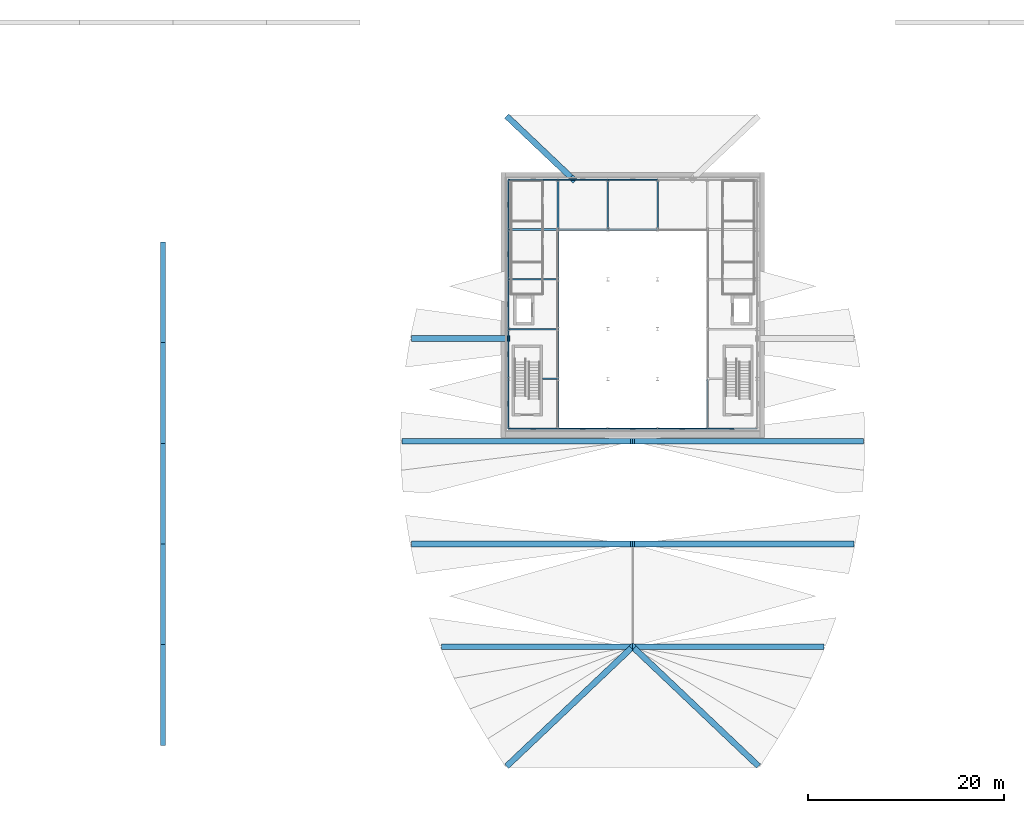
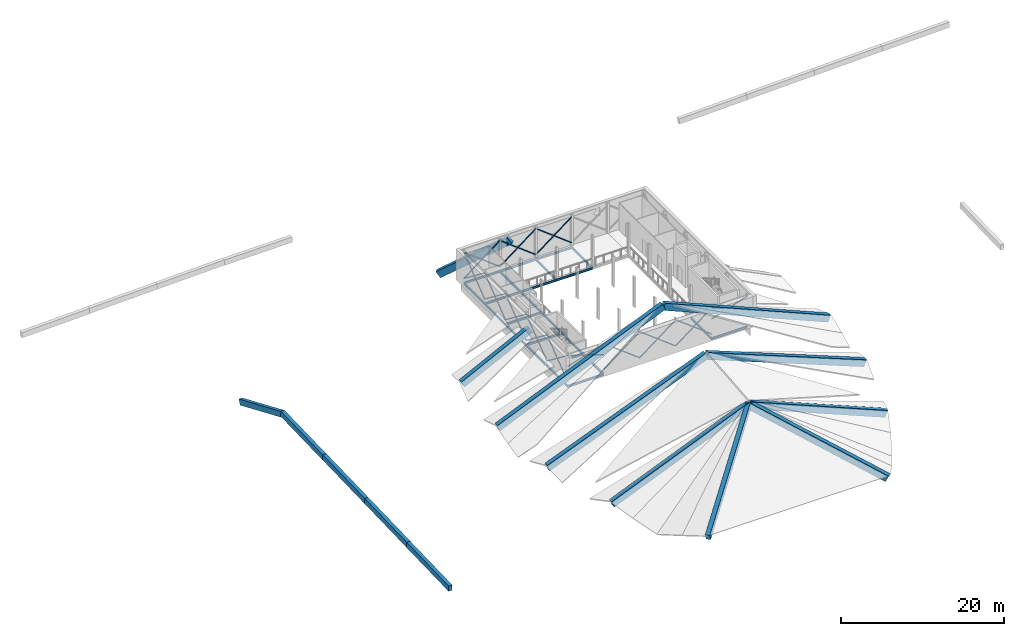
# One storey, part 2 of 7: 39 beams, 38 members.
"""IFC4 building model written with IfcOpenShell, lengths in metres."""

import ifcopenshell
import ifcopenshell.guid

model = None  # the IFC model being written
_history = None  # IfcOwnerHistory: only IFC2X3 demands one
_inside = {}  # id of a spatial element -> (the spatial element, [elements in it])
_under = {}  # id of a project, library or spatial element -> (it, [spatial elements below it])
_declared = {}  # id of a project -> (the project, [libraries it declares])
_typed = {}  # id of a type object -> (the type object, [elements of that type])
_made_of = {}  # id of a material, layer set ... -> (it, [elements and type objects made of it])


def new_model(schema):
    """Start an empty IFC model of exactly this schema.

    Asked for "IFC4X3", IfcOpenShell would pick the latest addendum, in which some entities
    have other attributes; the version numbers below select the first issue.
    IFC2X3 requires an IfcOwnerHistory on every rooted entity: one is made here for all.
    """
    global model, _history
    if schema == "IFC4X3":
        model = ifcopenshell.file(schema_version=(4, 3, 0, 0))
    else:
        model = ifcopenshell.file(schema=schema)
    _inside.clear()
    _under.clear()
    _declared.clear()
    _typed.clear()
    _made_of.clear()
    _history = None
    if model.schema == "IFC2X3":
        org = make("IfcOrganization", Name="unknown")
        user = make(
            "IfcPersonAndOrganization",
            ThePerson=make("IfcPerson", FamilyName="unknown"),
            TheOrganization=org,
        )
        app = make(
            "IfcApplication",
            ApplicationDeveloper=org,
            Version="unknown",
            ApplicationFullName="unknown",
            ApplicationIdentifier="unknown",
        )
        _history = make(
            "IfcOwnerHistory",
            OwningUser=user,
            OwningApplication=app,
            ChangeAction="ADDED",
            CreationDate=0,
        )
    return model


def make(cls, **values):
    """One entity of the class cls with the attributes given. An attribute that is None is left unset."""
    return model.create_entity(
        cls, **{name: value for name, value in values.items() if value is not None}
    )


def rooted(cls, **values):
    """An entity with a GlobalId (a new one), such as an element, a storey or a relation."""
    return make(cls, GlobalId=ifcopenshell.guid.new(), OwnerHistory=_history, **values)


def si_unit(unit_type, name, prefix=None):
    """IfcSIUnit, for example si_unit("LENGTHUNIT", "METRE", prefix="MILLI")."""
    return make("IfcSIUnit", UnitType=unit_type, Prefix=prefix, Name=name)


def assignment(units):
    """IfcUnitAssignment: the units of a project."""
    return None if units is None else make("IfcUnitAssignment", Units=units)


def point(xyz):
    """IfcCartesianPoint."""
    return None if xyz is None else make("IfcCartesianPoint", Coordinates=xyz)


def direction(xyz):
    """IfcDirection."""
    return None if xyz is None else make("IfcDirection", DirectionRatios=xyz)


def frame(location, z_axis=None, x_axis=None):
    """IfcAxis2Placement3D, a coordinate frame: its origin and axes. An axis left out is left unset."""
    return make(
        "IfcAxis2Placement3D",
        Location=point(location),
        Axis=direction(z_axis),
        RefDirection=direction(x_axis),
    )


def frame_2d(location, x_axis=None):
    """IfcAxis2Placement2D, a coordinate frame in the plane: its origin and x axis."""
    return make(
        "IfcAxis2Placement2D", Location=point(location), RefDirection=direction(x_axis)
    )


def origin():
    """The frame at (0, 0, 0) with its axes left unset."""
    return frame((0.0, 0.0, 0.0))


def origin_2d():
    """The frame at (0, 0) in the plane with its x axis left unset."""
    return frame_2d((0.0, 0.0))


def place(relative_to, where):
    """IfcLocalPlacement: puts the frame where relative to a parent placement (None: the world)."""
    return make(
        "IfcLocalPlacement", PlacementRelTo=relative_to, RelativePlacement=where
    )


def context(
    kind, dimensions, precision=None, world=None, true_north=None, identifier=None
):
    """IfcGeometricRepresentationContext, for example the 3D "Model" context."""
    return make(
        "IfcGeometricRepresentationContext",
        ContextIdentifier=identifier,
        ContextType=kind,
        CoordinateSpaceDimension=dimensions,
        Precision=precision,
        WorldCoordinateSystem=world,
        TrueNorth=true_north,
    )


def subcontext(parent, identifier, kind, view, scale=None):
    """IfcGeometricRepresentationSubContext, for example "Body" below "Model"."""
    return make(
        "IfcGeometricRepresentationSubContext",
        ContextIdentifier=identifier,
        ContextType=kind,
        ParentContext=parent,
        TargetScale=scale,
        TargetView=view,
    )


def project(units=None, contexts=None):
    """IfcProject with its units and contexts."""
    return rooted(
        "IfcProject",
        Name="project",
        RepresentationContexts=contexts,
        UnitsInContext=assignment(units),
    )


def spatial(cls, under=None, at=None, **own):
    """A site, building, storey or space (cls), placed at a placement, below another one or the project."""
    s = rooted(cls, ObjectPlacement=at, **own)
    if under is not None:
        _under.setdefault(under.id(), (under, []))[1].append(s)
    return s


def profile(cls, at=None, kind="AREA", **sizes):
    """A parametric profile (cls). Its sizes go by their IFC names, for example OverallWidth=200.0."""
    return make(cls, ProfileType=kind, Position=at, **sizes)


def rectangle(**sizes):
    """IfcRectangleProfileDef."""
    return profile("IfcRectangleProfileDef", **sizes)


def hollow_circle(**sizes):
    """IfcCircleHollowProfileDef."""
    return profile("IfcCircleHollowProfileDef", **sizes)


def i_section(**sizes):
    """IfcIShapeProfileDef."""
    return profile("IfcIShapeProfileDef", **sizes)


def extrude(swept, where, along, depth):
    """IfcExtrudedAreaSolid: the profile swept, set in the frame where, extruded along a direction by depth."""
    return make(
        "IfcExtrudedAreaSolid",
        SweptArea=swept,
        Position=where,
        ExtrudedDirection=direction(along),
        Depth=depth,
    )


def shape(context_of_items, identifier, shape_type, items):
    """IfcShapeRepresentation: the items that make up one representation, for example the "Body"."""
    return make(
        "IfcShapeRepresentation",
        ContextOfItems=context_of_items,
        RepresentationIdentifier=identifier,
        RepresentationType=shape_type,
        Items=items,
    )


def material(Name=None, Category=None):
    """IfcMaterial."""
    return make("IfcMaterial", Name=Name, Category=Category)


def material_profile(
    of_material, cross_section, Name=None, Category=None, Priority=None
):
    """IfcMaterialProfile: a cross section and its material."""
    return make(
        "IfcMaterialProfile",
        Name=Name,
        Material=of_material,
        Profile=cross_section,
        Priority=Priority,
        Category=Category,
    )


def profile_set(profiles, Name=None, composite=None):
    """IfcMaterialProfileSet."""
    return make(
        "IfcMaterialProfileSet",
        Name=Name,
        MaterialProfiles=profiles,
        CompositeProfile=composite,
    )


def made_of(thing, what):
    """Note that an element or type object is made of a material, layer set ...; save() writes the relation."""
    if what is not None:
        _made_of.setdefault(what.id(), (what, []))[1].append(thing)
    return thing


def type_object(cls, material=None, **own):
    """A type object (cls), such as IfcWallType, which elements share."""
    return made_of(rooted(cls, **own), material)


def element(
    cls,
    number,
    at=None,
    inside=None,
    cuts=None,
    type_object=None,
    material=None,
    context=None,
    identifier="Body",
    shape_type=None,
    held_by="IfcProductDefinitionShape",
    body=None,
    shapes=None,
    **own,
):
    """One element of the class cls, such as IfcWall. Its Tag is "e" and its number.

    at: its placement. inside: the storey or other place that contains it. cuts: it is an
    opening in that element (IfcRelVoidsElement). A single representation is given by context,
    identifier, shape_type and body (its items); several are given by shapes. held_by: the class
    of the entity that holds the representations. save() writes the other relations.
    """
    e = rooted(cls, Tag="e%d" % number, ObjectPlacement=at, **own)
    if body is not None:
        shapes = [shape(context, identifier, shape_type, body)]
    if shapes is not None:
        e.Representation = make(held_by, Representations=shapes)
    if inside is not None:
        _inside.setdefault(inside.id(), (inside, []))[1].append(e)
    if cuts is not None:
        rooted(
            "IfcRelVoidsElement", RelatingBuildingElement=cuts, RelatedOpeningElement=e
        )
    if type_object is not None:
        _typed.setdefault(type_object.id(), (type_object, []))[1].append(e)
    return made_of(e, material)


def aggregate(whole, parts):
    """IfcRelAggregates: a whole, such as a stair, and the parts it consists of."""
    return rooted("IfcRelAggregates", RelatingObject=whole, RelatedObjects=parts)


def save(model, path):
    """Write the relations noted so far, then the file.

    IfcRelAggregates (storeys below a building ...), IfcRelContainedInSpatialStructure (elements
    in a storey), IfcRelDefinesByType, IfcRelAssociatesMaterial and IfcRelDeclares: one each for
    every whole, place, type object, material and project.
    """
    for whole, parts in _under.values():
        aggregate(whole, parts)
    for where, things in _inside.values():
        rooted(
            "IfcRelContainedInSpatialStructure",
            RelatedElements=things,
            RelatingStructure=where,
        )
    for kind, things in _typed.values():
        rooted("IfcRelDefinesByType", RelatedObjects=things, RelatingType=kind)
    for what, things in _made_of.values():
        rooted("IfcRelAssociatesMaterial", RelatedObjects=things, RelatingMaterial=what)
    for by, libraries in _declared.values():
        rooted("IfcRelDeclares", RelatingContext=by, RelatedDefinitions=libraries)
    model.write(path)


model = new_model("IFC4")

# Units and contexts
model_context = context("Model", 3, precision=1e-05, world=origin(), true_north=direction((0.0, 1.0)))
body_context = subcontext(model_context, "Body", "Model", "MODEL_VIEW")
ifc_project = project(units=[si_unit("LENGTHUNIT", "METRE"), si_unit("AREAUNIT", "SQUARE_METRE"), si_unit("VOLUMEUNIT", "CUBIC_METRE"), si_unit("PLANEANGLEUNIT", "RADIAN"), si_unit("MASSUNIT", "GRAM", prefix="KILO")], contexts=[model_context])

# Site, building, storey
site_placement = place(None, origin())
site = spatial("IfcSite", under=ifc_project, at=site_placement, CompositionType="ELEMENT")
building_placement = place(site_placement, origin())
building = spatial("IfcBuilding", under=site, at=building_placement, Name="Tide Square Theatres", CompositionType="ELEMENT")
storey_placement = place(building_placement, frame((0.0, 0.0, 19.39990234375)))
storey = spatial("IfcBuildingStorey", under=building, at=storey_placement, Name="L04", CompositionType="ELEMENT", Elevation=19.39990234375)

# Beams
ifc_material_1 = material(Name="Concrete C40", Category="concrete")
ifc_material_profile_1 = material_profile(ifc_material_1, rectangle(XDim=0.60009765625, YDim=1.0, at=origin_2d()))
ifc_profile_set_1 = profile_set([ifc_material_profile_1], Name="Concrete C40")
beam_type_1 = type_object("IfcBeamType", Name="RC roof rib and ridge 600 x 1000", PredefinedType="BEAM", material=ifc_profile_set_1)
beam_1_placement = place(storey_placement, frame((96.72265625, 21.923828125, -2.1083984375), z_axis=(-0.658332726511, 0.624533549094, 0.420185515291), x_axis=(-0.688238087927, -0.725484896001, 0.0)))
element("IfcBeam", 1, at=beam_1_placement, inside=storey, type_object=beam_type_1, Name="Roof rib main R0", PredefinedType="BEAM", context=body_context, shape_type="SweptSolid", body=[
    extrude(rectangle(XDim=0.60009765625, YDim=1.0, at=origin_2d()), origin(), (0.0, 0.0, 1.0), 19.336669921875),
])
beam_2_placement = place(storey_placement, frame((103.34814453125, 33.9931640625, -2.032958984375), z_axis=(-0.923292296451, 0.0, 0.384098080331), x_axis=(0.0, -1.0, 0.0)))
element("IfcBeam", 2, at=beam_2_placement, inside=storey, type_object=beam_type_1, Name="Roof rib main R1", PredefinedType="BEAM", context=body_context, shape_type="SweptSolid", body=[
    extrude(rectangle(XDim=0.60009765625, YDim=1.0, at=origin_2d()), origin(), (0.0, 0.0, 1.0), 20.94677734375),
])
beam_3_placement = place(storey_placement, frame((106.416015625, 44.49658203125, -1.904296875), z_axis=(-0.928915904478, 0.0, 0.370290753879), x_axis=(0.0, -1.0, 0.0)))
element("IfcBeam", 3, at=beam_3_placement, inside=storey, type_object=beam_type_1, Name="Roof rib main R2", PredefinedType="BEAM", context=body_context, shape_type="SweptSolid", body=[
    extrude(rectangle(XDim=0.60009765625, YDim=1.0, at=origin_2d()), origin(), (0.0, 0.0, 1.0), 24.115234375),
])
beam_4_placement = place(storey_placement, frame((107.388916015625, 55.0, -1.937744140625), z_axis=(-0.919886519015, 0.0, 0.392184640361), x_axis=(0.0, -1.0, 0.0)))
element("IfcBeam", 4, at=beam_4_placement, inside=storey, type_object=beam_type_1, Name="Roof rib main R3", PredefinedType="BEAM", context=body_context, shape_type="SweptSolid", body=[
    extrude(rectangle(XDim=0.60009765625, YDim=1.0, at=origin_2d()), origin(), (0.0, 0.0, 1.0), 25.421630859375),
])
beam_5_placement = place(storey_placement, frame((71.27734375, 21.923828125, -2.1083984375), z_axis=(0.658332726511, 0.624533549094, 0.420185515291), x_axis=(-0.688238087927, 0.725484896001, 0.0)))
element("IfcBeam", 5, at=beam_5_placement, inside=storey, type_object=beam_type_1, Name="Roof rib main L0", PredefinedType="BEAM", context=body_context, shape_type="SweptSolid", body=[
    extrude(rectangle(XDim=0.60009765625, YDim=1.0, at=origin_2d()), origin(), (0.0, 0.0, 1.0), 19.336669921875),
])
beam_6_placement = place(storey_placement, frame((64.65185546875, 33.9931640625, -2.032958984375), z_axis=(0.923292296451, 0.0, 0.384098080331), x_axis=(0.0, 1.0, 0.0)))
element("IfcBeam", 6, at=beam_6_placement, inside=storey, type_object=beam_type_1, Name="Roof rib main L1", PredefinedType="BEAM", context=body_context, shape_type="SweptSolid", body=[
    extrude(rectangle(XDim=0.60009765625, YDim=1.0, at=origin_2d()), origin(), (0.0, 0.0, 1.0), 20.94677734375),
])
beam_7_placement = place(storey_placement, frame((61.583984375, 44.49658203125, -1.904296875), z_axis=(0.928915904478, 0.0, 0.370290753879), x_axis=(0.0, 1.0, 0.0)))
element("IfcBeam", 7, at=beam_7_placement, inside=storey, type_object=beam_type_1, Name="Roof rib main L2", PredefinedType="BEAM", context=body_context, shape_type="SweptSolid", body=[
    extrude(rectangle(XDim=0.60009765625, YDim=1.0, at=origin_2d()), origin(), (0.0, 0.0, 1.0), 24.115234375),
])
beam_8_placement = place(storey_placement, frame((60.611083984375, 55.0, -1.937744140625), z_axis=(0.919886519015, 0.0, 0.392184640361), x_axis=(0.0, 1.0, 0.0)))
element("IfcBeam", 8, at=beam_8_placement, inside=storey, type_object=beam_type_1, Name="Roof rib main L3", PredefinedType="BEAM", context=body_context, shape_type="SweptSolid", body=[
    extrude(rectangle(XDim=0.60009765625, YDim=1.0, at=origin_2d()), origin(), (0.0, 0.0, 1.0), 25.421630859375),
])
beam_9_placement = place(storey_placement, frame((61.621826171875, 65.50341796875, -2.126220703125), z_axis=(0.895127152784, 0.0, 0.445810924438), x_axis=(0.0, 1.0, 0.0)))
element("IfcBeam", 9, at=beam_9_placement, inside=storey, type_object=beam_type_1, Name="Roof rib main L4", PredefinedType="BEAM", context=body_context, shape_type="SweptSolid", body=[
    extrude(rectangle(XDim=0.60009765625, YDim=1.0, at=origin_2d()), origin(), (0.0, 0.0, 1.0), 10.725830078125),
])
beam_10_placement = place(storey_placement, frame((71.33837890625, 88.0185546875, -2.7568359375), z_axis=(0.586818416538, -0.556711719416, 0.587976366427), x_axis=(0.688251683868, 0.725471997842, 0.0)))
element("IfcBeam", 10, at=beam_10_placement, inside=storey, type_object=beam_type_1, Name="Roof rib main L6", PredefinedType="BEAM", context=body_context, shape_type="SweptSolid", body=[
    extrude(rectangle(XDim=0.60009765625, YDim=1.0, at=origin_2d()), origin(), (0.0, 0.0, 1.0), 11.174560546875),
])
ifc_material_2 = material(Name="Concrete C40", Category="concrete")
ifc_material_profile_2 = material_profile(ifc_material_2, rectangle(XDim=0.5, YDim=0.800048828125, at=origin_2d()))
ifc_profile_set_2 = profile_set([ifc_material_profile_2], Name="Concrete C40")
beam_type_2 = type_object("IfcBeamType", Name="RC roof ridge beam 500 x 800", PredefinedType="BEAM", material=ifc_profile_set_2)
for number, where, z_axis, x_axis, name in (
    (11, (36.0, 23.931884765625, 1.401611328125), (0.0, 0.999550616228, 0.029976083774), (-1.0, 0.0, 0.0), "Ridge beam studio"),
    (12, (36.0, 34.221923828125, 1.7265625), (0.0, 0.999549905377, 0.029999777695), (-1.0, 0.0, 0.0), "Ridge beam studio"),
    (13, (36.0, 44.511962890625, 2.031494140625), (0.0, 0.999550616228, 0.029976083774), (-1.0, 0.0, 0.0), "Ridge beam studio"),
):
    element("IfcBeam", number, at=place(storey_placement, frame(where, z_axis=z_axis, x_axis=x_axis)), inside=storey, type_object=beam_type_2, Name=name, PredefinedType="BEAM", context=body_context, shape_type="SweptSolid", body=[
        extrude(rectangle(XDim=0.5, YDim=0.800048828125, at=origin_2d()), origin(), (0.0, 0.0, 1.0), 10.294677734375),
    ])
beam_11_placement = place(storey_placement, frame((36.0, 54.802001953125, 2.31298828125), z_axis=(0.0, 0.999550637537, 0.02997537322), x_axis=(-1.0, 0.0, 0.0)))
element("IfcBeam", 14, at=beam_11_placement, inside=storey, type_object=beam_type_2, Name="Ridge beam studio", PredefinedType="BEAM", context=body_context, shape_type="SweptSolid", body=[
    extrude(rectangle(XDim=0.5, YDim=0.800048828125, at=origin_2d()), origin(), (0.0, 0.0, 1.0), 10.294921875),
])
beam_12_placement = place(storey_placement, frame((36.0, 64.923583984375, 2.613037109375), z_axis=(0.0, 0.920108778398, -0.39166291108), x_axis=(-1.0, 0.0, 0.0)))
element("IfcBeam", 15, at=beam_12_placement, inside=storey, type_object=beam_type_2, Name="Ridge beam studio", PredefinedType="BEAM", context=body_context, shape_type="SweptSolid", body=[
    extrude(rectangle(XDim=0.5, YDim=0.800048828125, at=origin_2d()), origin(), (0.0, 0.0, 1.0), 11.18408203125),
])
ifc_material_3 = material(Name="Steel ASTM A572 Grade 50", Category="steel")
ifc_material_profile_3 = material_profile(ifc_material_3, i_section(OverallWidth=0.1650390625, OverallDepth=0.31005859375, WebThickness=0.005859375, FlangeThickness=0.009765625, FilletRadius=0.010009765625, at=origin_2d()))
ifc_profile_set_3 = profile_set([ifc_material_profile_3], Name="Steel ASTM A572 Grade 50")
beam_type_3 = type_object("IfcBeamType", Name="Steel beam W 310 x 38.7", PredefinedType="BEAM", material=ifc_profile_set_3)
for number, where, z_axis, x_axis, name in (
    (16, (71.27587890625, 56.27587890625, -0.35498046875), (0.0, 1.0, 0.0), (-1.0, 0.0, 0.0), "Fly gallery beam"),
    (17, (71.27587890625, 61.365478515625, -0.35498046875), (0.0, 1.0, 0.0), (-1.0, 0.0, 0.0), "Fly gallery beam"),
):
    element("IfcBeam", number, at=place(storey_placement, frame(where, z_axis=z_axis, x_axis=x_axis)), inside=storey, type_object=beam_type_3, Name=name, PredefinedType="BEAM", context=body_context, shape_type="SweptSolid", body=[
        extrude(i_section(OverallWidth=0.1650390625, OverallDepth=0.31005859375, WebThickness=0.005859375, FlangeThickness=0.009765625, FilletRadius=0.010009765625, at=origin_2d()), origin(), (0.0, 0.0, 1.0), 5.089599609375),
    ])
beam_13_placement = place(storey_placement, frame((71.27587890625, 66.455078125, -0.35498046875), z_axis=(0.0, 1.0, 0.0), x_axis=(-1.0, 0.0, 0.0)))
element("IfcBeam", 18, at=beam_13_placement, inside=storey, type_object=beam_type_3, Name="Fly gallery beam", PredefinedType="BEAM", context=body_context, shape_type="SweptSolid", body=[
    extrude(i_section(OverallWidth=0.1650390625, OverallDepth=0.31005859375, WebThickness=0.005859375, FlangeThickness=0.009765625, FilletRadius=0.010009765625, at=origin_2d()), origin(), (0.0, 0.0, 1.0), 5.08984375),
])
for number, where, z_axis, x_axis, name in (
    (19, (71.27587890625, 71.544921875, -0.35498046875), (0.0, 1.0, 0.0), (-1.0, 0.0, 0.0), "Fly gallery beam"),
    (20, (71.27587890625, 76.634521484375, -0.35498046875), (0.0, 1.0, 0.0), (-1.0, 0.0, 0.0), "Fly gallery beam"),
    (21, (76.365478515625, 56.27587890625, -0.35498046875), (0.0, 1.0, 0.0), (-1.0, 0.0, 0.0), "Fly gallery beam"),
    (22, (76.365478515625, 61.365478515625, -0.35498046875), (0.0, 1.0, 0.0), (-1.0, 0.0, 0.0), "Fly gallery beam"),
):
    element("IfcBeam", number, at=place(storey_placement, frame(where, z_axis=z_axis, x_axis=x_axis)), inside=storey, type_object=beam_type_3, Name=name, PredefinedType="BEAM", context=body_context, shape_type="SweptSolid", body=[
        extrude(i_section(OverallWidth=0.1650390625, OverallDepth=0.31005859375, WebThickness=0.005859375, FlangeThickness=0.009765625, FilletRadius=0.010009765625, at=origin_2d()), origin(), (0.0, 0.0, 1.0), 5.089599609375),
    ])
beam_14_placement = place(storey_placement, frame((76.365478515625, 66.455078125, -0.35498046875), z_axis=(0.0, 1.0, 0.0), x_axis=(-1.0, 0.0, 0.0)))
element("IfcBeam", 23, at=beam_14_placement, inside=storey, type_object=beam_type_3, Name="Fly gallery beam", PredefinedType="BEAM", context=body_context, shape_type="SweptSolid", body=[
    extrude(i_section(OverallWidth=0.1650390625, OverallDepth=0.31005859375, WebThickness=0.005859375, FlangeThickness=0.009765625, FilletRadius=0.010009765625, at=origin_2d()), origin(), (0.0, 0.0, 1.0), 5.08984375),
])
for number, where, z_axis, x_axis, name in (
    (24, (76.365478515625, 71.544921875, -0.35498046875), (0.0, 1.0, 0.0), (-1.0, 0.0, 0.0), "Fly gallery beam"),
    (25, (76.365478515625, 76.634521484375, -0.35498046875), (0.0, 1.0, 0.0), (-1.0, 0.0, 0.0), "Fly gallery beam"),
    (26, (71.27587890625, 56.27587890625, -0.35498046875), (1.0, 0.0, 0.0), (0.0, 1.0, 0.0), "Fly gallery cross beam"),
):
    element("IfcBeam", number, at=place(storey_placement, frame(where, z_axis=z_axis, x_axis=x_axis)), inside=storey, type_object=beam_type_3, Name=name, PredefinedType="BEAM", context=body_context, shape_type="SweptSolid", body=[
        extrude(i_section(OverallWidth=0.1650390625, OverallDepth=0.31005859375, WebThickness=0.005859375, FlangeThickness=0.009765625, FilletRadius=0.010009765625, at=origin_2d()), origin(), (0.0, 0.0, 1.0), 5.089599609375),
    ])
beam_15_placement = place(storey_placement, frame((74.77587890625, 61.365478515625, -0.35498046875), z_axis=(1.0, 0.0, 0.0), x_axis=(0.0, 1.0, 0.0)))
element("IfcBeam", 27, at=beam_15_placement, inside=storey, type_object=beam_type_3, Name="Fly gallery cross beam", PredefinedType="BEAM", context=body_context, shape_type="SweptSolid", body=[
    extrude(i_section(OverallWidth=0.1650390625, OverallDepth=0.31005859375, WebThickness=0.005859375, FlangeThickness=0.009765625, FilletRadius=0.010009765625, at=origin_2d()), origin(), (0.0, 0.0, 1.0), 1.589599609375),
])
for number, where, z_axis, x_axis, name in (
    (28, (71.27587890625, 66.455078125, -0.35498046875), (1.0, 0.0, 0.0), (0.0, 1.0, 0.0), "Fly gallery cross beam"),
    (29, (71.27587890625, 71.544921875, -0.35498046875), (1.0, 0.0, 0.0), (0.0, 1.0, 0.0), "Fly gallery cross beam"),
    (30, (71.27587890625, 76.634521484375, -0.35498046875), (1.0, 0.0, 0.0), (0.0, 1.0, 0.0), "Fly gallery cross beam"),
    (31, (71.27587890625, 81.72412109375, -0.35498046875), (1.0, 0.0, 0.0), (0.0, 1.0, 0.0), "Fly gallery cross beam"),
    (32, (91.634521484375, 56.27587890625, -0.35498046875), (0.0, 1.0, 0.0), (-1.0, 0.0, 0.0), "Fly gallery beam"),
    (33, (91.634521484375, 56.27587890625, -0.35498046875), (1.0, 0.0, 0.0), (0.0, 1.0, 0.0), "Fly gallery cross beam"),
    (34, (76.365478515625, 76.634521484375, -0.35498046875), (1.0, 0.0, 0.0), (0.0, 1.0, 0.0), "Fly gallery beam"),
):
    element("IfcBeam", number, at=place(storey_placement, frame(where, z_axis=z_axis, x_axis=x_axis)), inside=storey, type_object=beam_type_3, Name=name, PredefinedType="BEAM", context=body_context, shape_type="SweptSolid", body=[
        extrude(i_section(OverallWidth=0.1650390625, OverallDepth=0.31005859375, WebThickness=0.005859375, FlangeThickness=0.009765625, FilletRadius=0.010009765625, at=origin_2d()), origin(), (0.0, 0.0, 1.0), 5.089599609375),
    ])
beam_16_placement = place(storey_placement, frame((81.455078125, 76.634521484375, -0.35498046875), z_axis=(1.0, 0.0, 0.0), x_axis=(0.0, 1.0, 0.0)))
element("IfcBeam", 35, at=beam_16_placement, inside=storey, type_object=beam_type_3, Name="Fly gallery beam", PredefinedType="BEAM", context=body_context, shape_type="SweptSolid", body=[
    extrude(i_section(OverallWidth=0.1650390625, OverallDepth=0.31005859375, WebThickness=0.005859375, FlangeThickness=0.009765625, FilletRadius=0.010009765625, at=origin_2d()), origin(), (0.0, 0.0, 1.0), 5.08984375),
])
beam_17_placement = place(storey_placement, frame((76.365478515625, 81.72412109375, -0.35498046875), z_axis=(1.0, 0.0, 0.0), x_axis=(0.0, 1.0, 0.0)))
element("IfcBeam", 36, at=beam_17_placement, inside=storey, type_object=beam_type_3, Name="Fly gallery beam", PredefinedType="BEAM", context=body_context, shape_type="SweptSolid", body=[
    extrude(i_section(OverallWidth=0.1650390625, OverallDepth=0.31005859375, WebThickness=0.005859375, FlangeThickness=0.009765625, FilletRadius=0.010009765625, at=origin_2d()), origin(), (0.0, 0.0, 1.0), 5.089599609375),
])
beam_18_placement = place(storey_placement, frame((81.455078125, 81.72412109375, -0.35498046875), z_axis=(1.0, 0.0, 0.0), x_axis=(0.0, 1.0, 0.0)))
element("IfcBeam", 37, at=beam_18_placement, inside=storey, type_object=beam_type_3, Name="Fly gallery beam", PredefinedType="BEAM", context=body_context, shape_type="SweptSolid", body=[
    extrude(i_section(OverallWidth=0.1650390625, OverallDepth=0.31005859375, WebThickness=0.005859375, FlangeThickness=0.009765625, FilletRadius=0.010009765625, at=origin_2d()), origin(), (0.0, 0.0, 1.0), 5.08984375),
])
for number, where, z_axis, x_axis, name in (
    (38, (81.455078125, 76.634521484375, -0.35498046875), (0.0, 1.0, 0.0), (-1.0, 0.0, 0.0), "Fly gallery cross beam"),
    (39, (86.544921875, 76.634521484375, -0.35498046875), (0.0, 1.0, 0.0), (-1.0, 0.0, 0.0), "Fly gallery cross beam"),
):
    element("IfcBeam", number, at=place(storey_placement, frame(where, z_axis=z_axis, x_axis=x_axis)), inside=storey, type_object=beam_type_3, Name=name, PredefinedType="BEAM", context=body_context, shape_type="SweptSolid", body=[
        extrude(i_section(OverallWidth=0.1650390625, OverallDepth=0.31005859375, WebThickness=0.005859375, FlangeThickness=0.009765625, FilletRadius=0.010009765625, at=origin_2d()), origin(), (0.0, 0.0, 1.0), 5.089599609375),
    ])

# Members
ifc_material_4 = material(Name="Steel ASTM A500 Grade C", Category="steel")
ifc_material_profile_4 = material_profile(ifc_material_4, hollow_circle(Radius=0.084228515625, WallThickness=0.008056640625, at=origin_2d()))
ifc_profile_set_4 = profile_set([ifc_material_profile_4], Name="Steel ASTM A500 Grade C")
member_type = type_object("IfcMemberType", Name="Steel brace CHS 168.3 x 8.0", PredefinedType="BRACE", material=ifc_profile_set_4)
member_1_placement = place(storey_placement, frame((71.27587890625, 56.27587890625, 2.60009765625), z_axis=(0.951265515207, 0.0, 0.308373020184), x_axis=(0.0, 1.0, 0.0)))
element("IfcMember", 40, at=member_1_placement, inside=storey, type_object=member_type, Name="Fly tower brace", PredefinedType="BRACE", context=body_context, shape_type="SweptSolid", body=[
    extrude(hollow_circle(Radius=0.084228515625, WallThickness=0.008056640625, at=origin_2d()), origin(), (0.0, 0.0, 1.0), 5.350341796875),
])
member_2_placement = place(storey_placement, frame((76.365478515625, 56.27587890625, 2.60009765625), z_axis=(-0.951247969685, 0.0, 0.30842713916), x_axis=(0.0, -1.0, 0.0)))
element("IfcMember", 41, at=member_2_placement, inside=storey, type_object=member_type, Name="Fly tower brace", PredefinedType="BRACE", context=body_context, shape_type="SweptSolid", body=[
    extrude(hollow_circle(Radius=0.084228515625, WallThickness=0.008056640625, at=origin_2d()), origin(), (0.0, 0.0, 1.0), 2.46337890625),
])
member_3_placement = place(storey_placement, frame((73.619384765625, 56.27587890625, 3.490478515625), z_axis=(-0.95128646544, 0.0, 0.308308385664), x_axis=(0.0, -1.0, 0.0)))
element("IfcMember", 42, at=member_3_placement, inside=storey, type_object=member_type, Name="Fly tower brace", PredefinedType="BRACE", context=body_context, shape_type="SweptSolid", body=[
    extrude(hollow_circle(Radius=0.084228515625, WallThickness=0.008056640625, at=origin_2d()), origin(), (0.0, 0.0, 1.0), 2.463623046875),
])
member_4_placement = place(storey_placement, frame((76.365478515625, 56.27587890625, 0.35009765625), z_axis=(0.793766284219, 0.0, 0.60822289174), x_axis=(0.0, 1.0, 0.0)))
element("IfcMember", 43, at=member_4_placement, inside=storey, type_object=member_type, Name="Fly tower brace", PredefinedType="BRACE", context=body_context, shape_type="SweptSolid", body=[
    extrude(hollow_circle(Radius=0.084228515625, WallThickness=0.008056640625, at=origin_2d()), origin(), (0.0, 0.0, 1.0), 6.411865234375),
])
member_5_placement = place(storey_placement, frame((81.455078125, 56.27587890625, 0.35009765625), z_axis=(-0.793770774284, 0.0, 0.608217031899), x_axis=(0.0, -1.0, 0.0)))
element("IfcMember", 44, at=member_5_placement, inside=storey, type_object=member_type, Name="Fly tower brace", PredefinedType="BRACE", context=body_context, shape_type="SweptSolid", body=[
    extrude(hollow_circle(Radius=0.084228515625, WallThickness=0.008056640625, at=origin_2d()), origin(), (0.0, 0.0, 1.0), 3.1064453125),
])
member_6_placement = place(storey_placement, frame((78.83154296875, 56.27587890625, 2.360595703125), z_axis=(-0.793799844633, 0.0, 0.608179090943), x_axis=(0.0, -1.0, 0.0)))
element("IfcMember", 45, at=member_6_placement, inside=storey, type_object=member_type, Name="Fly tower brace", PredefinedType="BRACE", context=body_context, shape_type="SweptSolid", body=[
    extrude(hollow_circle(Radius=0.084228515625, WallThickness=0.008056640625, at=origin_2d()), origin(), (0.0, 0.0, 1.0), 3.106689453125),
])
member_7_placement = place(storey_placement, frame((81.455078125, 56.27587890625, 0.35009765625), z_axis=(0.793780369156, 0.0, 0.608204509637), x_axis=(0.0, 1.0, 0.0)))
element("IfcMember", 46, at=member_7_placement, inside=storey, type_object=member_type, Name="Fly tower brace", PredefinedType="BRACE", context=body_context, shape_type="SweptSolid", body=[
    extrude(hollow_circle(Radius=0.084228515625, WallThickness=0.008056640625, at=origin_2d()), origin(), (0.0, 0.0, 1.0), 6.412109375),
])
for number, where, z_axis, x_axis, name in (
    (47, (86.544921875, 56.27587890625, 0.35009765625), (-0.793799844633, 0.0, 0.608179090943), (0.0, -1.0, 0.0), "Fly tower brace"),
    (48, (83.921142578125, 56.27587890625, 2.360595703125), (-0.793799844633, 0.0, 0.608179090943), (0.0, -1.0, 0.0), "Fly tower brace"),
):
    element("IfcMember", number, at=place(storey_placement, frame(where, z_axis=z_axis, x_axis=x_axis)), inside=storey, type_object=member_type, Name=name, PredefinedType="BRACE", context=body_context, shape_type="SweptSolid", body=[
        extrude(hollow_circle(Radius=0.084228515625, WallThickness=0.008056640625, at=origin_2d()), origin(), (0.0, 0.0, 1.0), 3.106689453125),
    ])
member_8_placement = place(storey_placement, frame((86.544921875, 56.27587890625, 0.35009765625), z_axis=(0.793766284219, 0.0, 0.60822289174), x_axis=(0.0, 1.0, 0.0)))
element("IfcMember", 49, at=member_8_placement, inside=storey, type_object=member_type, Name="Fly tower brace", PredefinedType="BRACE", context=body_context, shape_type="SweptSolid", body=[
    extrude(hollow_circle(Radius=0.084228515625, WallThickness=0.008056640625, at=origin_2d()), origin(), (0.0, 0.0, 1.0), 6.411865234375),
])
member_9_placement = place(storey_placement, frame((91.634521484375, 56.27587890625, 0.35009765625), z_axis=(-0.793799844633, 0.0, 0.608179090943), x_axis=(0.0, -1.0, 0.0)))
element("IfcMember", 50, at=member_9_placement, inside=storey, type_object=member_type, Name="Fly tower brace", PredefinedType="BRACE", context=body_context, shape_type="SweptSolid", body=[
    extrude(hollow_circle(Radius=0.084228515625, WallThickness=0.008056640625, at=origin_2d()), origin(), (0.0, 0.0, 1.0), 3.106689453125),
])
member_10_placement = place(storey_placement, frame((89.0107421875, 56.27587890625, 2.360595703125), z_axis=(-0.793770774284, 0.0, 0.608217031899), x_axis=(0.0, -1.0, 0.0)))
element("IfcMember", 51, at=member_10_placement, inside=storey, type_object=member_type, Name="Fly tower brace", PredefinedType="BRACE", context=body_context, shape_type="SweptSolid", body=[
    extrude(hollow_circle(Radius=0.084228515625, WallThickness=0.008056640625, at=origin_2d()), origin(), (0.0, 0.0, 1.0), 3.1064453125),
])
member_11_placement = place(storey_placement, frame((91.634521484375, 56.27587890625, 2.60009765625), z_axis=(0.951265515207, 0.0, 0.308373020184), x_axis=(0.0, 1.0, 0.0)))
element("IfcMember", 52, at=member_11_placement, inside=storey, type_object=member_type, Name="Fly tower brace", PredefinedType="BRACE", context=body_context, shape_type="SweptSolid", body=[
    extrude(hollow_circle(Radius=0.084228515625, WallThickness=0.008056640625, at=origin_2d()), origin(), (0.0, 0.0, 1.0), 5.350341796875),
])
member_12_placement = place(storey_placement, frame((93.977783203125, 56.27587890625, 3.490478515625), z_axis=(-0.951277043997, 0.0, 0.30833745404), x_axis=(0.0, -1.0, 0.0)))
element("IfcMember", 53, at=member_12_placement, inside=storey, type_object=member_type, Name="Fly tower brace", PredefinedType="BRACE", context=body_context, shape_type="SweptSolid", body=[
    extrude(hollow_circle(Radius=0.084228515625, WallThickness=0.008056640625, at=origin_2d()), origin(), (0.0, 0.0, 1.0), 2.46337890625),
])
member_13_placement = place(storey_placement, frame((71.27587890625, 81.72412109375, 0.35009765625), z_axis=(0.793766284219, 0.0, 0.60822289174), x_axis=(0.0, 1.0, 0.0)))
element("IfcMember", 54, at=member_13_placement, inside=storey, type_object=member_type, Name="Fly tower brace", PredefinedType="BRACE", context=body_context, shape_type="SweptSolid", body=[
    extrude(hollow_circle(Radius=0.084228515625, WallThickness=0.008056640625, at=origin_2d()), origin(), (0.0, 0.0, 1.0), 6.411865234375),
])
member_14_placement = place(storey_placement, frame((76.365478515625, 81.72412109375, 0.35009765625), z_axis=(-0.793770774284, 0.0, 0.608217031899), x_axis=(0.0, -1.0, 0.0)))
element("IfcMember", 55, at=member_14_placement, inside=storey, type_object=member_type, Name="Fly tower brace", PredefinedType="BRACE", context=body_context, shape_type="SweptSolid", body=[
    extrude(hollow_circle(Radius=0.084228515625, WallThickness=0.008056640625, at=origin_2d()), origin(), (0.0, 0.0, 1.0), 3.1064453125),
])
member_15_placement = place(storey_placement, frame((73.741943359375, 81.72412109375, 2.360595703125), z_axis=(-0.793799844633, 0.0, 0.608179090943), x_axis=(0.0, -1.0, 0.0)))
element("IfcMember", 56, at=member_15_placement, inside=storey, type_object=member_type, Name="Fly tower brace", PredefinedType="BRACE", context=body_context, shape_type="SweptSolid", body=[
    extrude(hollow_circle(Radius=0.084228515625, WallThickness=0.008056640625, at=origin_2d()), origin(), (0.0, 0.0, 1.0), 3.106689453125),
])
member_16_placement = place(storey_placement, frame((76.365478515625, 81.72412109375, 0.35009765625), z_axis=(0.793766284219, 0.0, 0.60822289174), x_axis=(0.0, 1.0, 0.0)))
element("IfcMember", 57, at=member_16_placement, inside=storey, type_object=member_type, Name="Fly tower brace", PredefinedType="BRACE", context=body_context, shape_type="SweptSolid", body=[
    extrude(hollow_circle(Radius=0.084228515625, WallThickness=0.008056640625, at=origin_2d()), origin(), (0.0, 0.0, 1.0), 6.411865234375),
])
member_17_placement = place(storey_placement, frame((81.455078125, 81.72412109375, 0.35009765625), z_axis=(-0.793770774284, 0.0, 0.608217031899), x_axis=(0.0, -1.0, 0.0)))
element("IfcMember", 58, at=member_17_placement, inside=storey, type_object=member_type, Name="Fly tower brace", PredefinedType="BRACE", context=body_context, shape_type="SweptSolid", body=[
    extrude(hollow_circle(Radius=0.084228515625, WallThickness=0.008056640625, at=origin_2d()), origin(), (0.0, 0.0, 1.0), 3.1064453125),
])
member_18_placement = place(storey_placement, frame((78.83154296875, 81.72412109375, 2.360595703125), z_axis=(-0.793799844633, 0.0, 0.608179090943), x_axis=(0.0, -1.0, 0.0)))
element("IfcMember", 59, at=member_18_placement, inside=storey, type_object=member_type, Name="Fly tower brace", PredefinedType="BRACE", context=body_context, shape_type="SweptSolid", body=[
    extrude(hollow_circle(Radius=0.084228515625, WallThickness=0.008056640625, at=origin_2d()), origin(), (0.0, 0.0, 1.0), 3.106689453125),
])
member_19_placement = place(storey_placement, frame((81.455078125, 81.72412109375, 0.35009765625), z_axis=(0.793780369156, 0.0, 0.608204509637), x_axis=(0.0, 1.0, 0.0)))
element("IfcMember", 60, at=member_19_placement, inside=storey, type_object=member_type, Name="Fly tower brace", PredefinedType="BRACE", context=body_context, shape_type="SweptSolid", body=[
    extrude(hollow_circle(Radius=0.084228515625, WallThickness=0.008056640625, at=origin_2d()), origin(), (0.0, 0.0, 1.0), 6.412109375),
])
for number, where, z_axis, x_axis, name in (
    (61, (86.544921875, 81.72412109375, 0.35009765625), (-0.793799844633, 0.0, 0.608179090943), (0.0, -1.0, 0.0), "Fly tower brace"),
    (62, (83.921142578125, 81.72412109375, 2.360595703125), (-0.793799844633, 0.0, 0.608179090943), (0.0, -1.0, 0.0), "Fly tower brace"),
):
    element("IfcMember", number, at=place(storey_placement, frame(where, z_axis=z_axis, x_axis=x_axis)), inside=storey, type_object=member_type, Name=name, PredefinedType="BRACE", context=body_context, shape_type="SweptSolid", body=[
        extrude(hollow_circle(Radius=0.084228515625, WallThickness=0.008056640625, at=origin_2d()), origin(), (0.0, 0.0, 1.0), 3.106689453125),
    ])
member_20_placement = place(storey_placement, frame((71.27587890625, 56.27587890625, 0.35009765625), z_axis=(0.0, 0.793766284219, 0.60822289174), x_axis=(-1.0, 0.0, 0.0)))
element("IfcMember", 63, at=member_20_placement, inside=storey, type_object=member_type, Name="Fly tower brace", PredefinedType="BRACE", context=body_context, shape_type="SweptSolid", body=[
    extrude(hollow_circle(Radius=0.084228515625, WallThickness=0.008056640625, at=origin_2d()), origin(), (0.0, 0.0, 1.0), 6.411865234375),
])
member_21_placement = place(storey_placement, frame((71.27587890625, 61.365478515625, 0.35009765625), z_axis=(0.0, -0.793770774284, 0.608217031899), x_axis=(1.0, 0.0, 0.0)))
element("IfcMember", 64, at=member_21_placement, inside=storey, type_object=member_type, Name="Fly tower brace", PredefinedType="BRACE", context=body_context, shape_type="SweptSolid", body=[
    extrude(hollow_circle(Radius=0.084228515625, WallThickness=0.008056640625, at=origin_2d()), origin(), (0.0, 0.0, 1.0), 3.1064453125),
])
member_22_placement = place(storey_placement, frame((71.27587890625, 58.741943359375, 2.360595703125), z_axis=(0.0, -0.793799844633, 0.608179090943), x_axis=(1.0, 0.0, 0.0)))
element("IfcMember", 65, at=member_22_placement, inside=storey, type_object=member_type, Name="Fly tower brace", PredefinedType="BRACE", context=body_context, shape_type="SweptSolid", body=[
    extrude(hollow_circle(Radius=0.084228515625, WallThickness=0.008056640625, at=origin_2d()), origin(), (0.0, 0.0, 1.0), 3.106689453125),
])
member_23_placement = place(storey_placement, frame((71.27587890625, 61.365478515625, 0.35009765625), z_axis=(0.0, 0.793766284219, 0.60822289174), x_axis=(-1.0, 0.0, 0.0)))
element("IfcMember", 66, at=member_23_placement, inside=storey, type_object=member_type, Name="Fly tower brace", PredefinedType="BRACE", context=body_context, shape_type="SweptSolid", body=[
    extrude(hollow_circle(Radius=0.084228515625, WallThickness=0.008056640625, at=origin_2d()), origin(), (0.0, 0.0, 1.0), 6.411865234375),
])
member_24_placement = place(storey_placement, frame((71.27587890625, 66.455078125, 0.35009765625), z_axis=(0.0, -0.793770774284, 0.608217031899), x_axis=(1.0, 0.0, 0.0)))
element("IfcMember", 67, at=member_24_placement, inside=storey, type_object=member_type, Name="Fly tower brace", PredefinedType="BRACE", context=body_context, shape_type="SweptSolid", body=[
    extrude(hollow_circle(Radius=0.084228515625, WallThickness=0.008056640625, at=origin_2d()), origin(), (0.0, 0.0, 1.0), 3.1064453125),
])
member_25_placement = place(storey_placement, frame((71.27587890625, 63.83154296875, 2.360595703125), z_axis=(0.0, -0.793799844633, 0.608179090943), x_axis=(1.0, 0.0, 0.0)))
element("IfcMember", 68, at=member_25_placement, inside=storey, type_object=member_type, Name="Fly tower brace", PredefinedType="BRACE", context=body_context, shape_type="SweptSolid", body=[
    extrude(hollow_circle(Radius=0.084228515625, WallThickness=0.008056640625, at=origin_2d()), origin(), (0.0, 0.0, 1.0), 3.106689453125),
])
member_26_placement = place(storey_placement, frame((71.27587890625, 66.455078125, 0.35009765625), z_axis=(0.0, 0.793780369156, 0.608204509637), x_axis=(-1.0, 0.0, 0.0)))
element("IfcMember", 69, at=member_26_placement, inside=storey, type_object=member_type, Name="Fly tower brace", PredefinedType="BRACE", context=body_context, shape_type="SweptSolid", body=[
    extrude(hollow_circle(Radius=0.084228515625, WallThickness=0.008056640625, at=origin_2d()), origin(), (0.0, 0.0, 1.0), 6.412109375),
])
for number, where, z_axis, x_axis, name in (
    (70, (71.27587890625, 71.544921875, 0.35009765625), (0.0, -0.793799844633, 0.608179090943), (1.0, 0.0, 0.0), "Fly tower brace"),
    (71, (71.27587890625, 68.921142578125, 2.360595703125), (0.0, -0.793799844633, 0.608179090943), (1.0, 0.0, 0.0), "Fly tower brace"),
):
    element("IfcMember", number, at=place(storey_placement, frame(where, z_axis=z_axis, x_axis=x_axis)), inside=storey, type_object=member_type, Name=name, PredefinedType="BRACE", context=body_context, shape_type="SweptSolid", body=[
        extrude(hollow_circle(Radius=0.084228515625, WallThickness=0.008056640625, at=origin_2d()), origin(), (0.0, 0.0, 1.0), 3.106689453125),
    ])
member_27_placement = place(storey_placement, frame((71.27587890625, 71.544921875, 0.35009765625), z_axis=(0.0, 0.793766284219, 0.60822289174), x_axis=(-1.0, 0.0, 0.0)))
element("IfcMember", 72, at=member_27_placement, inside=storey, type_object=member_type, Name="Fly tower brace", PredefinedType="BRACE", context=body_context, shape_type="SweptSolid", body=[
    extrude(hollow_circle(Radius=0.084228515625, WallThickness=0.008056640625, at=origin_2d()), origin(), (0.0, 0.0, 1.0), 6.411865234375),
])
member_28_placement = place(storey_placement, frame((71.27587890625, 76.634521484375, 0.35009765625), z_axis=(0.0, -0.793799844633, 0.608179090943), x_axis=(1.0, 0.0, 0.0)))
element("IfcMember", 73, at=member_28_placement, inside=storey, type_object=member_type, Name="Fly tower brace", PredefinedType="BRACE", context=body_context, shape_type="SweptSolid", body=[
    extrude(hollow_circle(Radius=0.084228515625, WallThickness=0.008056640625, at=origin_2d()), origin(), (0.0, 0.0, 1.0), 3.106689453125),
])
member_29_placement = place(storey_placement, frame((71.27587890625, 74.0107421875, 2.360595703125), z_axis=(0.0, -0.793770774284, 0.608217031899), x_axis=(1.0, 0.0, 0.0)))
element("IfcMember", 74, at=member_29_placement, inside=storey, type_object=member_type, Name="Fly tower brace", PredefinedType="BRACE", context=body_context, shape_type="SweptSolid", body=[
    extrude(hollow_circle(Radius=0.084228515625, WallThickness=0.008056640625, at=origin_2d()), origin(), (0.0, 0.0, 1.0), 3.1064453125),
])
member_30_placement = place(storey_placement, frame((71.27587890625, 76.634521484375, 0.35009765625), z_axis=(0.0, 0.793766284219, 0.60822289174), x_axis=(-1.0, 0.0, 0.0)))
element("IfcMember", 75, at=member_30_placement, inside=storey, type_object=member_type, Name="Fly tower brace", PredefinedType="BRACE", context=body_context, shape_type="SweptSolid", body=[
    extrude(hollow_circle(Radius=0.084228515625, WallThickness=0.008056640625, at=origin_2d()), origin(), (0.0, 0.0, 1.0), 6.411865234375),
])
member_31_placement = place(storey_placement, frame((71.27587890625, 81.72412109375, 0.35009765625), z_axis=(0.0, -0.793799844633, 0.608179090943), x_axis=(1.0, 0.0, 0.0)))
element("IfcMember", 76, at=member_31_placement, inside=storey, type_object=member_type, Name="Fly tower brace", PredefinedType="BRACE", context=body_context, shape_type="SweptSolid", body=[
    extrude(hollow_circle(Radius=0.084228515625, WallThickness=0.008056640625, at=origin_2d()), origin(), (0.0, 0.0, 1.0), 3.106689453125),
])
member_32_placement = place(storey_placement, frame((71.27587890625, 79.100341796875, 2.360595703125), z_axis=(0.0, -0.793770774284, 0.608217031899), x_axis=(1.0, 0.0, 0.0)))
element("IfcMember", 77, at=member_32_placement, inside=storey, type_object=member_type, Name="Fly tower brace", PredefinedType="BRACE", context=body_context, shape_type="SweptSolid", body=[
    extrude(hollow_circle(Radius=0.084228515625, WallThickness=0.008056640625, at=origin_2d()), origin(), (0.0, 0.0, 1.0), 3.1064453125),
])

save(model, "model.ifc")
